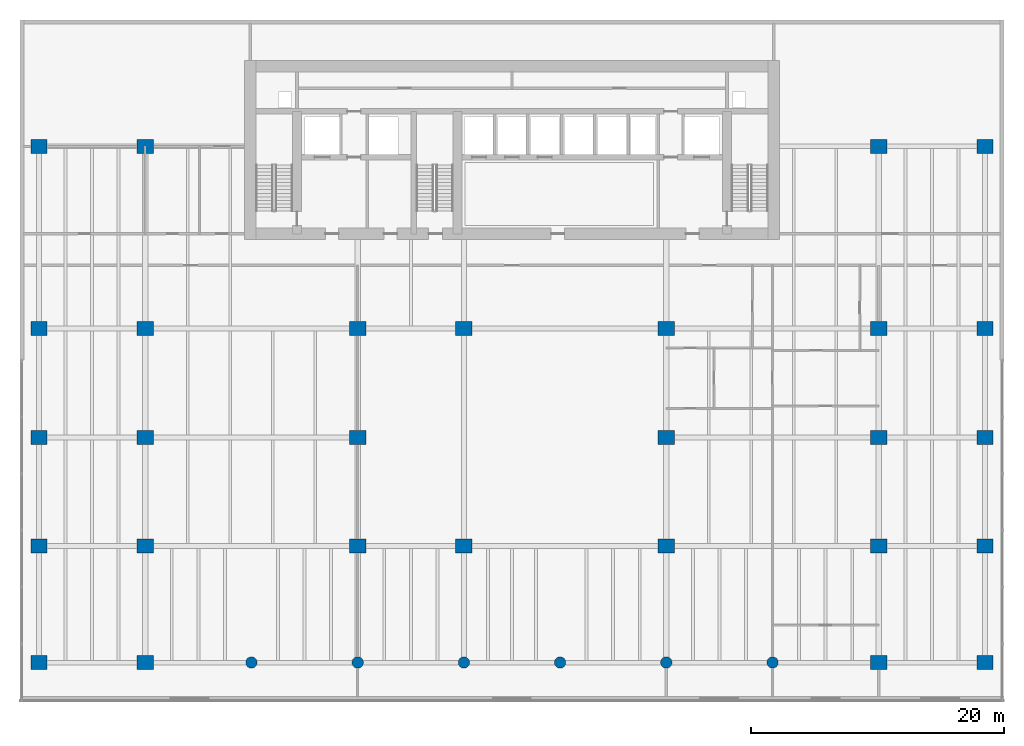
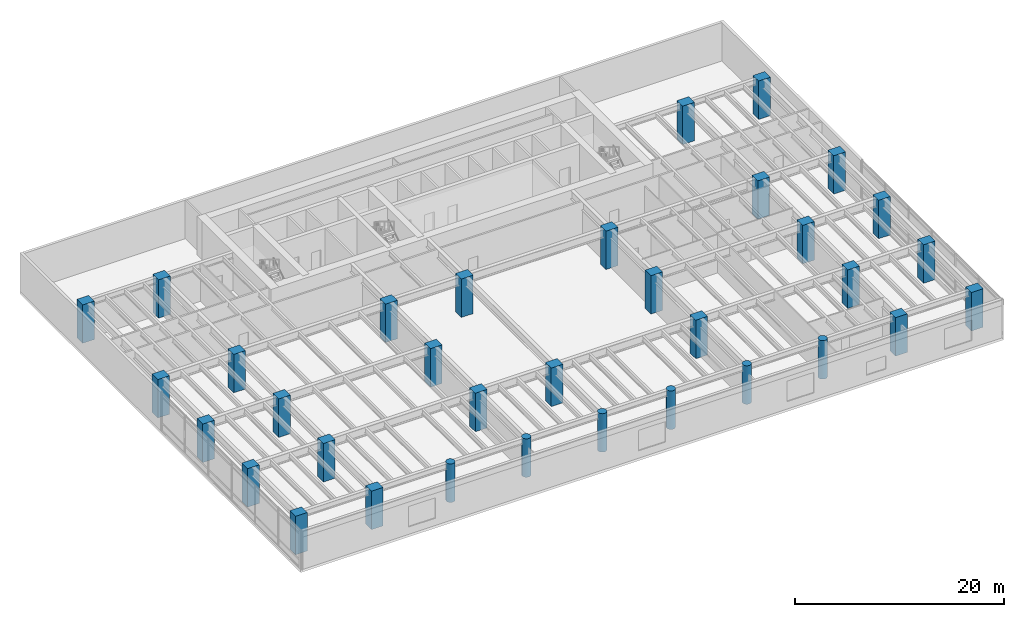
# One storey, part 1 of 13: 34 columns.
"""IFC4 building model written with IfcOpenShell, lengths in metres."""

from ifc_helpers import new_model, si_unit, direction, frame, origin, origin_2d, place, context, subcontext, project, spatial, rectangle, circle, extrude, material, material_profile, profile_set, type_object, element, save


model = new_model("IFC4")

# Units and contexts
model_context = context("Model", 3, precision=1e-05, world=origin(), true_north=direction((0.0, 1.0)))
body_context = subcontext(model_context, "Body", "Model", "MODEL_VIEW")
ifc_project = project(units=[si_unit("LENGTHUNIT", "METRE"), si_unit("AREAUNIT", "SQUARE_METRE"), si_unit("VOLUMEUNIT", "CUBIC_METRE"), si_unit("PLANEANGLEUNIT", "RADIAN"), si_unit("MASSUNIT", "GRAM", prefix="KILO")], contexts=[model_context])

# Site, building, storey
site_placement = place(None, origin())
site = spatial("IfcSite", under=ifc_project, at=site_placement, CompositionType="ELEMENT")
building_placement = place(site_placement, origin())
building = spatial("IfcBuilding", under=site, at=building_placement, Name="Caelmar Bay Residences", CompositionType="ELEMENT")
storey_placement = place(building_placement, frame((0.0, 0.0, 5.39990234375)))
storey = spatial("IfcBuildingStorey", under=building, at=storey_placement, Name="L01", CompositionType="ELEMENT", Elevation=5.39990234375)

# Columns
ifc_material = material(Name="Concrete f'c 70 MPa (10,000 psi)", Category="concrete")
ifc_material_profile_1 = material_profile(ifc_material, rectangle(XDim=1.300048828125, YDim=1.10009765625, at=origin_2d()), Name="RC-COL-1300X1100")
ifc_profile_set_1 = profile_set([ifc_material_profile_1], Name="Concrete f'c 70 MPa (10,000 psi)")
column_type_1 = type_object("IfcColumnType", Name="COL-RC-1300X1100", PredefinedType="COLUMN", material=ifc_profile_set_1)
for number, where, z_axis, x_axis, name in (
    (1, (1.5, 3.0, 0.0), (0.0, 0.0, 1.0), (1.0, 0.0, 0.0), "L01 Column (1.50,3.00)"),
    (2, (9.89990234375, 3.0, 0.0), (0.0, 0.0, 1.0), (1.0, 0.0, 0.0), "L01 Column (9.90,3.00)"),
    (3, (67.89990234375, 3.0, 0.0), (0.0, 0.0, 1.0), (1.0, 0.0, 0.0), "L01 Column (67.90,3.00)"),
    (4, (76.300048828125, 3.0, 0.0), (0.0, 0.0, 1.0), (1.0, 0.0, 0.0), "L01 Column (76.30,3.00)"),
    (5, (1.5, 12.199951171875, 0.0), (0.0, 0.0, 1.0), (1.0, 0.0, 0.0), "L01 Column (1.50,12.20)"),
    (6, (9.89990234375, 12.199951171875, 0.0), (0.0, 0.0, 1.0), (1.0, 0.0, 0.0), "L01 Column (9.90,12.20)"),
    (7, (26.699951171875, 12.199951171875, 0.0), (0.0, 0.0, 1.0), (1.0, 0.0, 0.0), "L01 Column (26.70,12.20)"),
    (8, (35.10009765625, 12.199951171875, 0.0), (0.0, 0.0, 1.0), (1.0, 0.0, 0.0), "L01 Column (35.10,12.20)"),
    (9, (51.10009765625, 12.199951171875, 0.0), (0.0, 0.0, 1.0), (1.0, 0.0, 0.0), "L01 Column (51.10,12.20)"),
    (10, (67.89990234375, 12.199951171875, 0.0), (0.0, 0.0, 1.0), (1.0, 0.0, 0.0), "L01 Column (67.90,12.20)"),
    (11, (76.300048828125, 12.199951171875, 0.0), (0.0, 0.0, 1.0), (1.0, 0.0, 0.0), "L01 Column (76.30,12.20)"),
    (12, (1.5, 20.800048828125, 0.0), (0.0, 0.0, 1.0), (1.0, 0.0, 0.0), "L01 Column (1.50,20.80)"),
    (13, (9.89990234375, 20.800048828125, 0.0), (0.0, 0.0, 1.0), (1.0, 0.0, 0.0), "L01 Column (9.90,20.80)"),
    (14, (26.699951171875, 20.800048828125, 0.0), (0.0, 0.0, 1.0), (1.0, 0.0, 0.0), "L01 Column (26.70,20.80)"),
    (15, (51.10009765625, 20.800048828125, 0.0), (0.0, 0.0, 1.0), (1.0, 0.0, 0.0), "L01 Column (51.10,20.80)"),
    (16, (67.89990234375, 20.800048828125, 0.0), (0.0, 0.0, 1.0), (1.0, 0.0, 0.0), "L01 Column (67.90,20.80)"),
    (17, (76.300048828125, 20.800048828125, 0.0), (0.0, 0.0, 1.0), (1.0, 0.0, 0.0), "L01 Column (76.30,20.80)"),
    (18, (1.5, 29.39990234375, 0.0), (0.0, 0.0, 1.0), (1.0, 0.0, 0.0), "L01 Column (1.50,29.40)"),
    (19, (9.89990234375, 29.39990234375, 0.0), (0.0, 0.0, 1.0), (1.0, 0.0, 0.0), "L01 Column (9.90,29.40)"),
    (20, (26.699951171875, 29.39990234375, 0.0), (0.0, 0.0, 1.0), (1.0, 0.0, 0.0), "L01 Column (26.70,29.40)"),
    (21, (35.10009765625, 29.39990234375, 0.0), (0.0, 0.0, 1.0), (1.0, 0.0, 0.0), "L01 Column (35.10,29.40)"),
    (22, (51.10009765625, 29.39990234375, 0.0), (0.0, 0.0, 1.0), (1.0, 0.0, 0.0), "L01 Column (51.10,29.40)"),
    (23, (67.89990234375, 29.39990234375, 0.0), (0.0, 0.0, 1.0), (1.0, 0.0, 0.0), "L01 Column (67.90,29.40)"),
    (24, (76.300048828125, 29.39990234375, 0.0), (0.0, 0.0, 1.0), (1.0, 0.0, 0.0), "L01 Column (76.30,29.40)"),
    (25, (1.5, 43.800048828125, 0.0), (0.0, 0.0, 1.0), (1.0, 0.0, 0.0), "L01 Column (1.50,43.80)"),
    (26, (9.89990234375, 43.800048828125, 0.0), (0.0, 0.0, 1.0), (1.0, 0.0, 0.0), "L01 Column (9.90,43.80)"),
    (27, (67.89990234375, 43.800048828125, 0.0), (0.0, 0.0, 1.0), (1.0, 0.0, 0.0), "L01 Column (67.90,43.80)"),
    (28, (76.300048828125, 43.800048828125, 0.0), (0.0, 0.0, 1.0), (1.0, 0.0, 0.0), "L01 Column (76.30,43.80)"),
):
    element("IfcColumn", number, at=place(storey_placement, frame(where, z_axis=z_axis, x_axis=x_axis)), inside=storey, type_object=column_type_1, Name=name, PredefinedType="COLUMN", context=body_context, shape_type="SweptSolid", body=[
        extrude(rectangle(XDim=1.300048828125, YDim=1.10009765625, at=origin_2d()), origin(), (0.0, 0.0, 1.0), 4.5),
    ])
ifc_material_profile_2 = material_profile(ifc_material, circle(Radius=0.449951171875, at=origin_2d()), Name="RC-COL-900D")
ifc_profile_set_2 = profile_set([ifc_material_profile_2], Name="Concrete f'c 70 MPa (10,000 psi)")
column_type_2 = type_object("IfcColumnType", Name="COL-RC-900D", PredefinedType="COLUMN", material=ifc_profile_set_2)
for number, where, z_axis, x_axis, name in (
    (29, (18.300048828125, 3.0, 0.0), (0.0, 0.0, 1.0), (1.0, 0.0, 0.0), "L01 Column (18.30,3.00)"),
    (30, (26.699951171875, 3.0, 0.0), (0.0, 0.0, 1.0), (1.0, 0.0, 0.0), "L01 Column (26.70,3.00)"),
    (31, (35.10009765625, 3.0, 0.0), (0.0, 0.0, 1.0), (1.0, 0.0, 0.0), "L01 Column (35.10,3.00)"),
    (32, (42.699951171875, 3.0, 0.0), (0.0, 0.0, 1.0), (1.0, 0.0, 0.0), "L01 Column (42.70,3.00)"),
    (33, (51.10009765625, 3.0, 0.0), (0.0, 0.0, 1.0), (1.0, 0.0, 0.0), "L01 Column (51.10,3.00)"),
    (34, (59.5, 3.0, 0.0), (0.0, 0.0, 1.0), (1.0, 0.0, 0.0), "L01 Column (59.50,3.00)"),
):
    element("IfcColumn", number, at=place(storey_placement, frame(where, z_axis=z_axis, x_axis=x_axis)), inside=storey, type_object=column_type_2, Name=name, PredefinedType="COLUMN", context=body_context, shape_type="SweptSolid", body=[
        extrude(circle(Radius=0.449951171875, at=origin_2d()), origin(), (0.0, 0.0, 1.0), 4.5),
    ])

save(model, "model.ifc")
